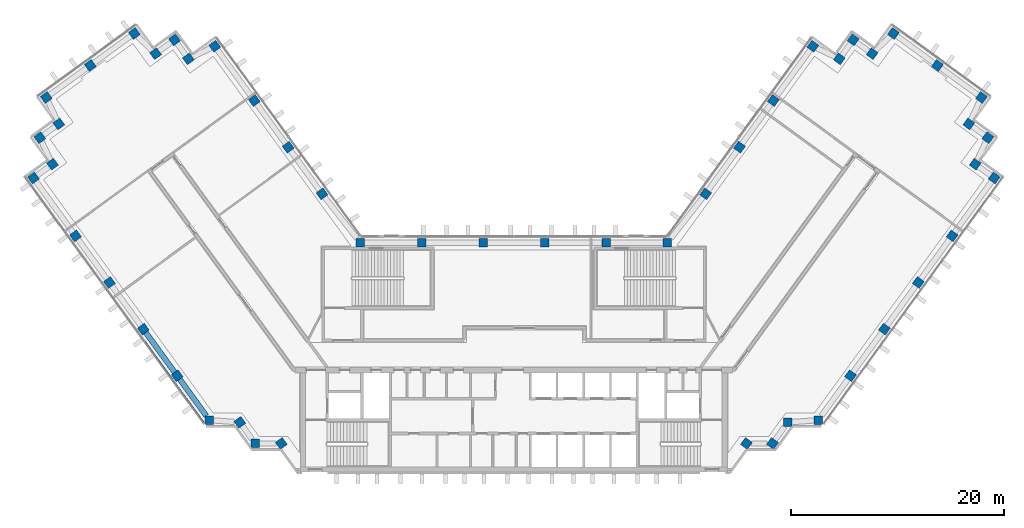
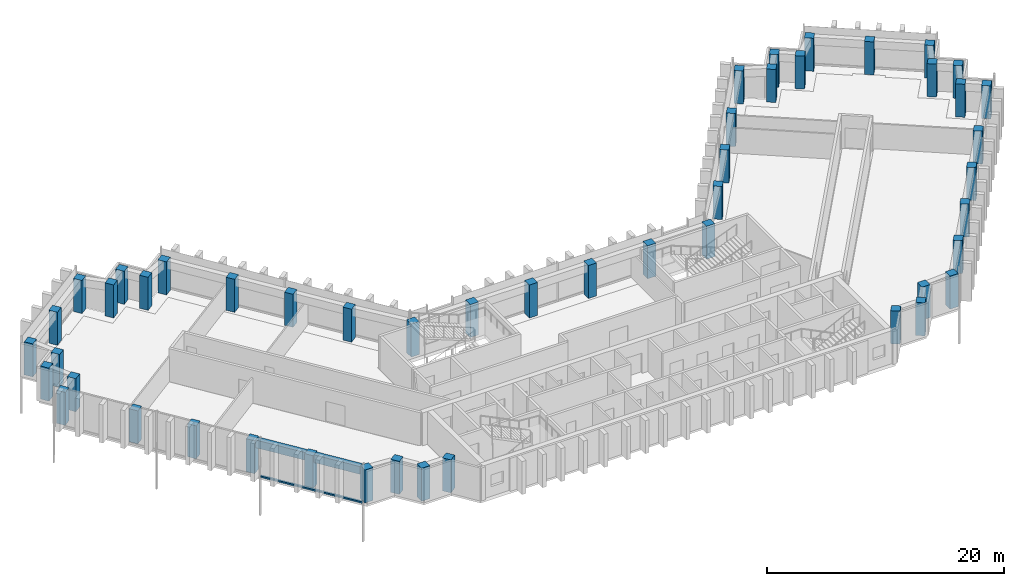
# One storey, part 1 of 13: 50 columns, 2 beams, 1 member, 1 element without a shape of its own.
"""IFC4 building model written with IfcOpenShell, lengths in metres."""

from ifc_helpers import new_model, si_unit, direction, frame, origin, origin_2d, place, context, subcontext, project, spatial, rectangle, extrude, material, material_profile, profile_set, type_object, element, aggregate, save


model = new_model("IFC4")

# Units and contexts
model_context = context("Model", 3, precision=1e-05, world=origin(), true_north=direction((0.0, 1.0)))
body_context = subcontext(model_context, "Body", "Model", "MODEL_VIEW")
ifc_project = project(units=[si_unit("LENGTHUNIT", "METRE"), si_unit("AREAUNIT", "SQUARE_METRE"), si_unit("VOLUMEUNIT", "CUBIC_METRE"), si_unit("PLANEANGLEUNIT", "RADIAN"), si_unit("MASSUNIT", "GRAM", prefix="KILO")], contexts=[model_context])

# Site, building, storey
site_placement = place(None, origin())
site = spatial("IfcSite", under=ifc_project, at=site_placement, CompositionType="ELEMENT")
building_placement = place(site_placement, origin())
building = spatial("IfcBuilding", under=site, at=building_placement, Name="Quipu Civic Tower", CompositionType="ELEMENT")
storey_placement = place(building_placement, frame((0.0, 0.0, 184.0)))
storey = spatial("IfcBuildingStorey", under=building, at=storey_placement, Name="L43", CompositionType="ELEMENT", Elevation=184.0)

# Columns
ifc_material_1 = material(Name="Concrete C60/75", Category="concrete")
ifc_material_profile_1 = material_profile(ifc_material_1, rectangle(XDim=0.800048828125, YDim=0.800048828125, at=origin_2d()), Name="RC800x800")
ifc_profile_set_1 = profile_set([ifc_material_profile_1], Name="Concrete C60/75")
column_type = type_object("IfcColumnType", Name="Perimeter column RC 800x800 C60/75", PredefinedType="COLUMN", material=ifc_profile_set_1)
for number, where, z_axis, x_axis, name in (
    (1, (-17.9736328125, 15.074951171875, 0.0), (0.0, 0.0, 1.0), (-0.587785252292, 0.809016994375, 0.0), "Column L43 W-IN-01"),
    (2, (-21.1474609375, 19.44384765625, 0.0), (0.0, 0.0, 1.0), (-0.587785252292, 0.809016994375, 0.0), "Column L43 W-IN-02"),
    (3, (-24.3212890625, 23.8125, 0.0), (0.0, 0.0, 1.0), (-0.587785252292, 0.809016994375, 0.0), "Column L43 W-IN-03"),
    (4, (-28.02001953125, 28.905029296875, 0.0), (0.0, 0.0, 1.0), (-0.809016994375, -0.587785252292, 0.0), "Column L43 T-Wi.0-W34"),
    (5, (-30.498779296875, 27.72265625, 0.0), (0.0, 0.0, 1.0), (-0.809016994375, -0.587785252292, 0.0), "Column L43 T-Wi.1-W34"),
    (6, (-31.794921875, 29.5, 0.0), (0.0, 0.0, 1.0), (-0.587785252292, 0.809016994375, 0.0), "Column L43 T-Wi.2-W34"),
    (7, (-33.573974609375, 28.20947265625, 0.0), (0.0, 0.0, 1.0), (-0.587785252292, 0.809016994375, 0.0), "Column L43 T-Wi.3-W34"),
    (8, (-35.56494140625, 30.10009765625, 0.0), (0.0, 0.0, 1.0), (-0.809016994375, -0.587785252292, 0.0), "Column L43 T-Wi.4-W34"),
    (9, (-39.690673828125, 27.10205078125, 0.0), (0.0, 0.0, 1.0), (-0.809016994375, -0.587785252292, 0.0), "Column L43 TIP-W-01-W34"),
    (10, (-43.81494140625, 24.10498046875, 0.0), (0.0, 0.0, 1.0), (-0.809016994375, -0.587785252292, 0.0), "Column L43 T-Wo.0-W34"),
    (11, (-42.635009765625, 21.626220703125, 0.0), (0.0, 0.0, 1.0), (-0.809016994375, -0.587785252292, 0.0), "Column L43 T-Wo.1-W34"),
    (12, (-44.4150390625, 20.3349609375, 0.0), (0.0, 0.0, 1.0), (0.587785252292, -0.809016994375, 0.0), "Column L43 T-Wo.2-W34"),
    (13, (-43.23095703125, 17.8544921875, 0.0), (0.0, 0.0, 1.0), (0.587785252292, -0.809016994375, 0.0), "Column L43 T-Wo.3-W34"),
    (14, (-45.010009765625, 16.56005859375, 0.0), (0.0, 0.0, 1.0), (0.587785252292, -0.809016994375, 0.0), "Column L43 T-Wo.4-W34"),
    (15, (-41.0703125, 11.137451171875, 0.0), (0.0, 0.0, 1.0), (0.587785252292, -0.809016994375, 0.0), "Column L43 W-OUT-04"),
    (16, (-37.896240234375, 6.768798828125, 0.0), (0.0, 0.0, 1.0), (0.587785252292, -0.809016994375, 0.0), "Column L43 W-OUT-03"),
    (17, (-34.722412109375, 2.39990234375, 0.0), (0.0, 0.0, 1.0), (0.587785252292, -0.809016994375, 0.0), "Column L43 W-OUT-02"),
    (18, (-31.54833984375, -1.96875, 0.0), (0.0, 0.0, 1.0), (0.587785252292, -0.809016994375, 0.0), "Column L43 W-OUT-01"),
    (19, (-28.52490234375, -6.1298828125, 0.0), (0.0, 0.0, 1.0), (1.0, 0.0, 0.0), "Column L43 J-Wo.0"),
    (20, (-25.67431640625, -6.3369140625, 0.0), (0.0, 0.0, 1.0), (0.587785252292, -0.809016994375, 0.0), "Column L43 J-Wo.1"),
    (21, (-24.235107421875, -8.31494140625, 0.0), (0.0, 0.0, 1.0), (1.0, 0.0, 0.0), "Column L43 J-Wo.2"),
    (22, (-21.791748046875, -8.31494140625, 0.0), (0.0, 0.0, 1.0), (0.587785252292, -0.809016994375, 0.0), "Column L43 J-Wo.3"),
    (23, (21.791748046875, -8.31494140625, 0.0), (0.0, 0.0, 1.0), (0.587785252292, 0.809016994375, 0.0), "Column L43 J-Eo.1"),
    (24, (24.235107421875, -8.31494140625, 0.0), (0.0, 0.0, 1.0), (0.587785252292, 0.809016994375, 0.0), "Column L43 J-Eo.2"),
    (25, (25.67431640625, -6.3369140625, 0.0), (0.0, 0.0, 1.0), (1.0, 0.0, 0.0), "Column L43 J-Eo.3"),
    (26, (28.52490234375, -6.1298828125, 0.0), (0.0, 0.0, 1.0), (1.0, 0.0, 0.0), "Column L43 J-Eo.4"),
    (27, (31.54833984375, -1.96875, 0.0), (0.0, 0.0, 1.0), (0.587785252292, 0.809016994375, 0.0), "Column L43 E-OUT-01"),
    (28, (34.722412109375, 2.39990234375, 0.0), (0.0, 0.0, 1.0), (0.587785252292, 0.809016994375, 0.0), "Column L43 E-OUT-02"),
    (29, (37.896240234375, 6.768798828125, 0.0), (0.0, 0.0, 1.0), (0.587785252292, 0.809016994375, 0.0), "Column L43 E-OUT-03"),
    (30, (41.0703125, 11.137451171875, 0.0), (0.0, 0.0, 1.0), (0.587785252292, 0.809016994375, 0.0), "Column L43 E-OUT-04"),
    (31, (45.010009765625, 16.56005859375, 0.0), (0.0, 0.0, 1.0), (0.587785252292, 0.809016994375, 0.0), "Column L43 T-Eo.0-E34"),
    (32, (43.23095703125, 17.8544921875, 0.0), (0.0, 0.0, 1.0), (0.587785252292, 0.809016994375, 0.0), "Column L43 T-Eo.1-E34"),
    (33, (44.4150390625, 20.3349609375, 0.0), (0.0, 0.0, 1.0), (0.587785252292, 0.809016994375, 0.0), "Column L43 T-Eo.2-E34"),
    (34, (42.635009765625, 21.626220703125, 0.0), (0.0, 0.0, 1.0), (-0.809016994375, 0.587785252292, 0.0), "Column L43 T-Eo.3-E34"),
    (35, (43.81494140625, 24.10498046875, 0.0), (0.0, 0.0, 1.0), (-0.809016994375, 0.587785252292, 0.0), "Column L43 T-Eo.4-E34"),
    (36, (39.690673828125, 27.10205078125, 0.0), (0.0, 0.0, 1.0), (-0.809016994375, 0.587785252292, 0.0), "Column L43 TIP-E-01-E34"),
    (37, (35.56494140625, 30.10009765625, 0.0), (0.0, 0.0, 1.0), (-0.587785252292, -0.809016994375, 0.0), "Column L43 T-Ei.0-E34"),
    (38, (33.573974609375, 28.20947265625, 0.0), (0.0, 0.0, 1.0), (-0.809016994375, 0.587785252292, 0.0), "Column L43 T-Ei.1-E34"),
    (39, (31.794921875, 29.5, 0.0), (0.0, 0.0, 1.0), (-0.587785252292, -0.809016994375, 0.0), "Column L43 T-Ei.2-E34"),
    (40, (30.498779296875, 27.72265625, 0.0), (0.0, 0.0, 1.0), (-0.809016994375, 0.587785252292, 0.0), "Column L43 T-Ei.3-E34"),
    (41, (28.02001953125, 28.905029296875, 0.0), (0.0, 0.0, 1.0), (-0.809016994375, 0.587785252292, 0.0), "Column L43 T-Ei.4-E34"),
    (42, (24.3212890625, 23.8125, 0.0), (0.0, 0.0, 1.0), (-0.587785252292, -0.809016994375, 0.0), "Column L43 E-IN-03"),
    (43, (21.1474609375, 19.44384765625, 0.0), (0.0, 0.0, 1.0), (-0.587785252292, -0.809016994375, 0.0), "Column L43 E-IN-02"),
    (44, (17.9736328125, 15.074951171875, 0.0), (0.0, 0.0, 1.0), (-0.587785252292, -0.809016994375, 0.0), "Column L43 E-IN-01"),
    (45, (14.395263671875, 10.5, 0.0), (0.0, 0.0, 1.0), (-1.0, 0.0, 0.0), "Column L43 J-Ei.0"),
    (46, (8.63720703125, 10.5, 0.0), (0.0, 0.0, 1.0), (-1.0, 0.0, 0.0), "Column L43 FRONT-01"),
    (47, (2.87890625, 10.5, 0.0), (0.0, 0.0, 1.0), (-1.0, 0.0, 0.0), "Column L43 FRONT-02"),
    (48, (-2.87890625, 10.5, 0.0), (0.0, 0.0, 1.0), (-1.0, 0.0, 0.0), "Column L43 FRONT-03"),
    (49, (-8.63720703125, 10.5, 0.0), (0.0, 0.0, 1.0), (-1.0, 0.0, 0.0), "Column L43 FRONT-04"),
    (50, (-14.395263671875, 10.5, 0.0), (0.0, 0.0, 1.0), (-1.0, 0.0, 0.0), "Column L43 J-Wi.0"),
):
    element("IfcColumn", number, at=place(storey_placement, frame(where, z_axis=z_axis, x_axis=x_axis)), inside=storey, type_object=column_type, Name=name, PredefinedType="COLUMN", context=body_context, shape_type="SweptSolid", body=[
        extrude(rectangle(XDim=0.800048828125, YDim=0.800048828125, at=origin_2d()), origin(), (0.0, 0.0, 1.0), 3.39990234375),
    ])

# Beams
ifc_material_2 = material(Name="Concrete C50/60", Category="concrete")
ifc_material_profile_2 = material_profile(ifc_material_2, rectangle(XDim=0.5, YDim=0.800048828125, at=origin_2d()), Name="RC500x800")
ifc_profile_set_2 = profile_set([ifc_material_profile_2], Name="Concrete C50/60")
beam_type = type_object("IfcBeamType", Name="Spandrel beam RC 500x800 C50/60", PredefinedType="SPANDREL", material=ifc_profile_set_2)
beam_1_placement = place(storey_placement, frame((-34.4873046875, 2.076416015625, 3.0), z_axis=(0.587796098864, -0.809009113768, 0.0), x_axis=(0.809009113768, 0.587796098864, 0.0)))
element("IfcBeam", 51, at=beam_1_placement, inside=storey, type_object=beam_type, Name="Spandrel beam L43 W-OUT-02 to W-OUT-01", PredefinedType="SPANDREL", context=body_context, shape_type="SweptSolid", body=[
    extrude(rectangle(XDim=0.5, YDim=0.800048828125, at=origin_2d()), origin(), (0.0, 0.0, 1.0), 4.60009765625),
])
beam_2_placement = place(storey_placement, frame((-31.313232421875, -2.292236328125, 3.0), z_axis=(0.58776850526, -0.809029161541, 0.0), x_axis=(0.809029161541, 0.58776850526, 0.0)))
element("IfcBeam", 52, at=beam_2_placement, inside=storey, type_object=beam_type, Name="Spandrel beam L43 W-OUT-01 to J-Wo.0", PredefinedType="SPANDREL", context=body_context, shape_type="SweptSolid", body=[
    extrude(rectangle(XDim=0.5, YDim=0.800048828125, at=origin_2d()), origin(), (0.0, 0.0, 1.0), 4.249267578125),
])

# Curtain wall, member
ifc_material_3 = material(Name="Insulated glass unit", Category="glass")
curtain_wall_type = type_object("IfcCurtainWallType", Name="Office curtain wall CW1", PredefinedType="NOTDEFINED", material=ifc_material_3)
curtain_wall_placement = place(storey_placement, origin())
curtain_wall = element("IfcCurtainWall", 53, at=curtain_wall_placement, inside=storey, type_object=curtain_wall_type, Name="Office curtain wall CW1 L42 run 8", PredefinedType="NOTDEFINED")
ifc_material_4 = material(Name="Anodised aluminium", Category="aluminium")
ifc_material_profile_3 = material_profile(ifc_material_4, rectangle(XDim=0.199951171875, YDim=0.159912109375, at=origin_2d()), Name="RECT 200x160")
ifc_profile_set_3 = profile_set([ifc_material_profile_3], Name="Anodised aluminium")
member_type = type_object("IfcMemberType", Name="Transom CW1", PredefinedType="USERDEFINED", material=ifc_profile_set_3)
member_placement = place(storey_placement, frame((-34.596923828125, 1.20654296875, 0.080078125), z_axis=(0.587783783239, -0.809018061703, 0.0), x_axis=(0.809018061703, 0.587783783239, 0.0)))
member = element("IfcMember", 54, at=member_placement, type_object=member_type, Name="CW1 transom 3.2", ObjectType="TRANSOM", PredefinedType="USERDEFINED", context=body_context, shape_type="SweptSolid", body=[
    extrude(rectangle(XDim=0.199951171875, YDim=0.159912109375, at=origin_2d()), origin(), (0.0, 0.0, 1.0), 9.431884765625),
])
aggregate(curtain_wall, [member])

save(model, "model.ifc")
